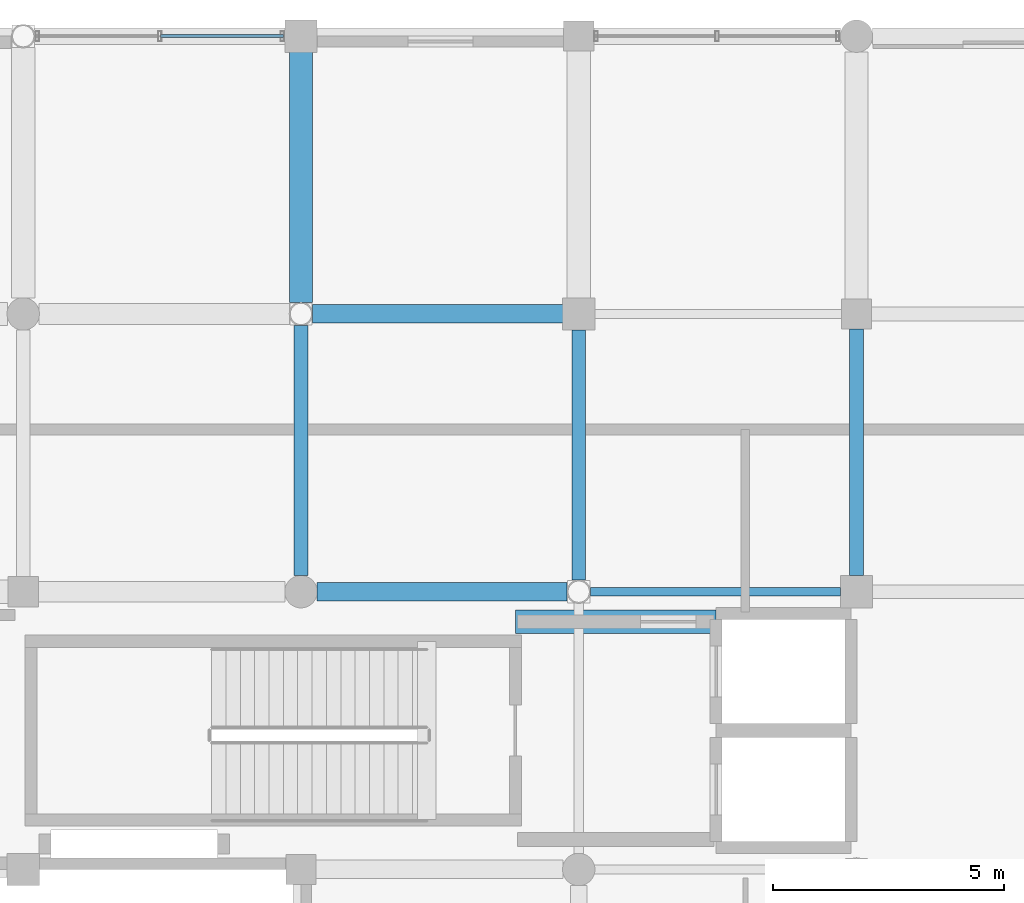
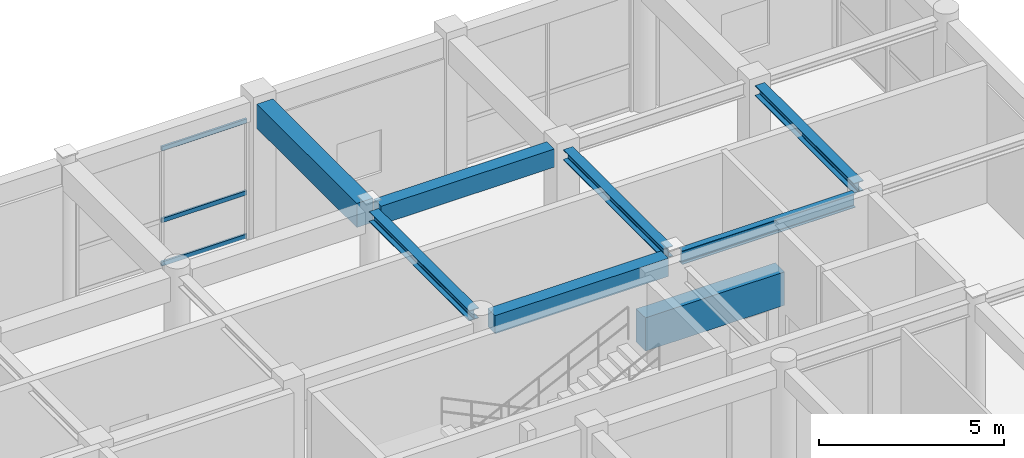
# One storey, part 79 of 112: 8 beams, 3 members, 1 element without a shape of its own.
"""IFC4 building model written with IfcOpenShell, lengths in metres."""

from ifc_helpers import new_model, si_unit, direction, frame, origin, origin_2d, place, context, subcontext, project, spatial, rectangle, hollow_rectangle, i_section, extrude, material, material_profile, profile_set, type_object, element, aggregate, save


model = new_model("IFC4")

# Units and contexts
model_context = context("Model", 3, precision=1e-05, world=origin(), true_north=direction((0.0, 1.0)))
body_context = subcontext(model_context, "Body", "Model", "MODEL_VIEW")
ifc_project = project(units=[si_unit("LENGTHUNIT", "METRE"), si_unit("AREAUNIT", "SQUARE_METRE"), si_unit("VOLUMEUNIT", "CUBIC_METRE"), si_unit("PLANEANGLEUNIT", "RADIAN"), si_unit("MASSUNIT", "GRAM", prefix="KILO"), si_unit("THERMODYNAMICTEMPERATUREUNIT", "KELVIN"), si_unit("POWERUNIT", "WATT")], contexts=[model_context])

# Site, building, storey
site_placement = place(None, origin())
site = spatial("IfcSite", under=ifc_project, at=site_placement, CompositionType="ELEMENT")
building_placement = place(site_placement, origin())
building = spatial("IfcBuilding", under=site, at=building_placement, Name="Phaisarnlok Congress Hotel", CompositionType="ELEMENT")
storey_placement = place(building_placement, frame((0.0, 0.0, 19.800048828125)))
storey = spatial("IfcBuildingStorey", under=building, at=storey_placement, Name="L04", CompositionType="ELEMENT", Elevation=19.800048828125)

# Beams
ifc_material_1 = material(Name="Concrete C40/50", Category="concrete")
ifc_material_profile_1 = material_profile(ifc_material_1, rectangle(XDim=0.39990234375, YDim=0.60009765625, at=origin_2d()), Name="RC 400x600")
ifc_profile_set_1 = profile_set([ifc_material_profile_1], Name="Concrete C40/50")
beam_type_1 = type_object("IfcBeamType", Name="BM-RC-400x600", PredefinedType="BEAM", material=ifc_profile_set_1)
for number, where, z_axis, x_axis, name in (
    (1, (162.344970703125, 114.0, 4.25), (1.0, 0.0, 0.0), (0.0, 1.0, 0.0), "Beam B-02"),
    (2, (162.2490234375, 120.0, 4.25), (1.0, 0.0, 0.0), (0.0, 1.0, 0.0), "Beam B-02"),
):
    element("IfcBeam", number, at=place(storey_placement, frame(where, z_axis=z_axis, x_axis=x_axis)), inside=storey, type_object=beam_type_1, Name=name, PredefinedType="BEAM", context=body_context, shape_type="SweptSolid", body=[
        extrude(rectangle(XDim=0.39990234375, YDim=0.60009765625, at=origin_2d()), origin(), (0.0, 0.0, 1.0), 5.406005859375),
    ])
ifc_material_profile_2 = material_profile(ifc_material_1, rectangle(XDim=0.5, YDim=0.800048828125, at=origin_2d()), Name="RC 500x800")
ifc_profile_set_2 = profile_set([ifc_material_profile_2], Name="Concrete C40/50")
beam_type_2 = type_object("IfcBeamType", Name="BM-RC-500x800", PredefinedType="BEAM", material=ifc_profile_set_2)
beam_1_placement = place(storey_placement, frame((162.0, 120.2490234375, 4.14990234375), z_axis=(0.0, 1.0, 0.0), x_axis=(-1.0, 0.0, 0.0)))
element("IfcBeam", 3, at=beam_1_placement, inside=storey, type_object=beam_type_2, Name="Beam B-04", PredefinedType="BEAM", context=body_context, shape_type="SweptSolid", body=[
    extrude(rectangle(XDim=0.5, YDim=0.800048828125, at=origin_2d()), origin(), (0.0, 0.0, 1.0), 5.406005859375),
])
ifc_material_2 = material(Name="Steel S355", Category="steel")
ifc_material_profile_3 = material_profile(ifc_material_2, i_section(OverallWidth=0.300048828125, OverallDepth=0.340087890625, WebThickness=0.011962890625, FlangeThickness=0.021484375, FilletRadius=0.027099609375, at=origin_2d()), Name="HEB 340")
ifc_profile_set_3 = profile_set([ifc_material_profile_3], Name="Steel S355")
beam_type_3 = type_object("IfcBeamType", Name="BM-STL-HEB340", PredefinedType="BEAM", material=ifc_profile_set_3)
for number, where, z_axis, x_axis, name in (
    (4, (162.0, 114.344970703125, 4.3798828125), (0.0, 1.0, 0.0), (-1.0, 0.0, 0.0), "Beam SB-07"),
    (5, (168.0, 114.2490234375, 4.3798828125), (0.0, 1.0, 0.0), (-1.0, 0.0, 0.0), "Beam SB-07"),
):
    element("IfcBeam", number, at=place(storey_placement, frame(where, z_axis=z_axis, x_axis=x_axis)), inside=storey, type_object=beam_type_3, Name=name, PredefinedType="BEAM", context=body_context, shape_type="SweptSolid", body=[
        extrude(i_section(OverallWidth=0.300048828125, OverallDepth=0.340087890625, WebThickness=0.011962890625, FlangeThickness=0.021484375, FilletRadius=0.027099609375, at=origin_2d()), origin(), (0.0, 0.0, 1.0), 5.406005859375),
    ])
beam_2_placement = place(storey_placement, frame((174.0, 114.344970703125, 4.3798828125), z_axis=(0.0, 1.0, 0.0), x_axis=(-1.0, 0.0, 0.0)))
element("IfcBeam", 6, at=beam_2_placement, inside=storey, type_object=beam_type_3, Name="Beam SB-07", PredefinedType="BEAM", context=body_context, shape_type="SweptSolid", body=[
    extrude(i_section(OverallWidth=0.300048828125, OverallDepth=0.340087890625, WebThickness=0.011962890625, FlangeThickness=0.021484375, FilletRadius=0.027099609375, at=origin_2d()), origin(), (0.0, 0.0, 1.0), 5.3349609375),
])
ifc_material_profile_4 = material_profile(ifc_material_2, i_section(OverallWidth=0.18994140625, OverallDepth=0.449951171875, WebThickness=0.009521484375, FlangeThickness=0.0146484375, FilletRadius=0.02099609375, at=origin_2d()), Name="IPE 450")
ifc_profile_set_4 = profile_set([ifc_material_profile_4], Name="Steel S355")
beam_type_4 = type_object("IfcBeamType", Name="BM-STL-IPE450", PredefinedType="BEAM", material=ifc_profile_set_4)
beam_3_placement = place(storey_placement, frame((168.2490234375, 114.0, 4.324951171875), z_axis=(1.0, 0.0, 0.0), x_axis=(0.0, 1.0, 0.0)))
element("IfcBeam", 7, at=beam_3_placement, inside=storey, type_object=beam_type_4, Name="Beam SB-01", PredefinedType="BEAM", context=body_context, shape_type="SweptSolid", body=[
    extrude(i_section(OverallWidth=0.18994140625, OverallDepth=0.449951171875, WebThickness=0.009521484375, FlangeThickness=0.0146484375, FilletRadius=0.02099609375, at=origin_2d()), origin(), (0.0, 0.0, 1.0), 5.406005859375),
])

# Curtain wall, members
ifc_material_3 = material(Name="Thermally Broken Unitised Aluminium & Low-E Glazing", Category="aluminium")
curtain_wall_type = type_object("IfcCurtainWallType", Name="CW-UNIT-34", PredefinedType="NOTDEFINED", material=ifc_material_3)
curtain_wall_placement = place(storey_placement, origin())
curtain_wall = element("IfcCurtainWall", 8, at=curtain_wall_placement, inside=storey, type_object=curtain_wall_type, Name="Unitised curtain wall CW-34 (L04)", PredefinedType="NOTDEFINED")
ifc_material_4 = material(Name="Anodised Aluminium Alloy 6063-T6", Category="aluminium")
ifc_material_profile_5 = material_profile(ifc_material_4, hollow_rectangle(XDim=0.06494140625, YDim=0.139892578125, WallThickness=0.00390625, at=origin_2d()), Name="ALU-T 65x140x4")
ifc_profile_set_5 = profile_set([ifc_material_profile_5], Name="Anodised Aluminium Alloy 6063-T6")
member_type = type_object("IfcMemberType", Name="CWT-150", PredefinedType="USERDEFINED", material=ifc_profile_set_5)
member_1_placement = place(storey_placement, frame((161.625, 126.0, 0.050048828125), z_axis=(-1.0, 0.0, 0.0), x_axis=(0.0, -1.0, 0.0)))
member_1 = element("IfcMember", 9, at=member_1_placement, type_object=member_type, Name="Curtain wall transom CWT-01", ObjectType="TRANSOM", PredefinedType="USERDEFINED", context=body_context, shape_type="SweptSolid", body=[
    extrude(hollow_rectangle(XDim=0.06494140625, YDim=0.139892578125, WallThickness=0.00390625, at=origin_2d()), origin(), (0.0, 0.0, 1.0), 2.657958984375),
])
member_2_placement = place(storey_placement, frame((161.625, 126.0, 1.48193359375), z_axis=(-1.0, 0.0, 0.0), x_axis=(0.0, -1.0, 0.0)))
member_2 = element("IfcMember", 10, at=member_2_placement, type_object=member_type, Name="Curtain wall transom CWT-01", ObjectType="TRANSOM", PredefinedType="USERDEFINED", context=body_context, shape_type="SweptSolid", body=[
    extrude(hollow_rectangle(XDim=0.06494140625, YDim=0.139892578125, WallThickness=0.00390625, at=origin_2d()), origin(), (0.0, 0.0, 1.0), 2.657958984375),
])
member_3_placement = place(storey_placement, frame((161.625, 126.0, 3.849853515625), z_axis=(-1.0, 0.0, 0.0), x_axis=(0.0, -1.0, 0.0)))
member_3 = element("IfcMember", 11, at=member_3_placement, type_object=member_type, Name="Curtain wall transom CWT-01", ObjectType="TRANSOM", PredefinedType="USERDEFINED", context=body_context, shape_type="SweptSolid", body=[
    extrude(hollow_rectangle(XDim=0.06494140625, YDim=0.139892578125, WallThickness=0.00390625, at=origin_2d()), origin(), (0.0, 0.0, 1.0), 2.657958984375),
])
aggregate(curtain_wall, [member_1, member_2, member_3])

# Beam
ifc_material_5 = material(Name="Concrete C50/60", Category="concrete")
ifc_material_profile_6 = material_profile(ifc_material_5, rectangle(XDim=0.5, YDim=1.10009765625, at=origin_2d()), Name="RC 500x1100")
ifc_profile_set_6 = profile_set([ifc_material_profile_6], Name="Concrete C50/60")
beam_type_5 = type_object("IfcBeamType", Name="LN-RC-500x1100", PredefinedType="LINTEL", material=ifc_profile_set_6)
beam_4_placement = place(storey_placement, frame((166.6298828125, 113.35009765625, 2.849853515625), z_axis=(1.0, 0.0, 0.0), x_axis=(0.0, 1.0, 0.0)))
element("IfcBeam", 12, at=beam_4_placement, inside=storey, type_object=beam_type_5, Name="Core coupling lintel beam LN-02", PredefinedType="LINTEL", context=body_context, shape_type="SweptSolid", body=[
    extrude(rectangle(XDim=0.5, YDim=1.10009765625, at=origin_2d()), origin(), (0.0, 0.0, 1.0), 4.340087890625),
])

save(model, "model.ifc")
